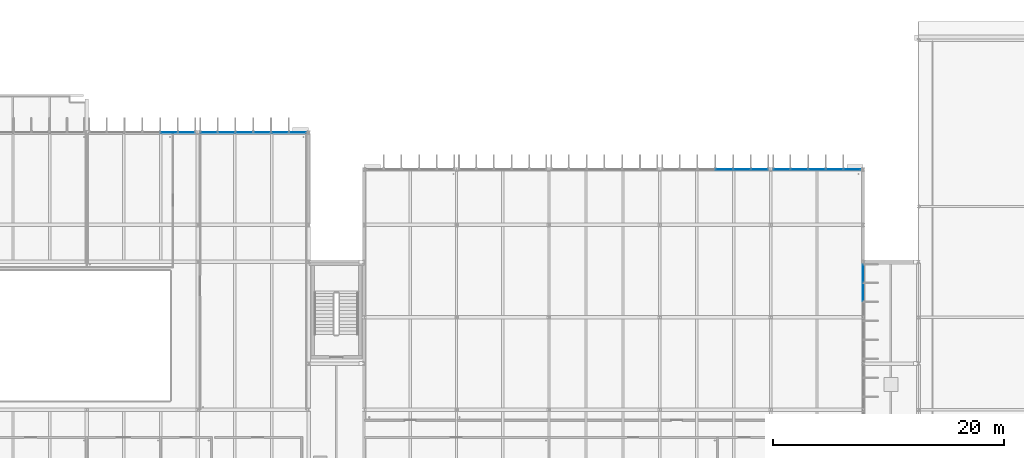
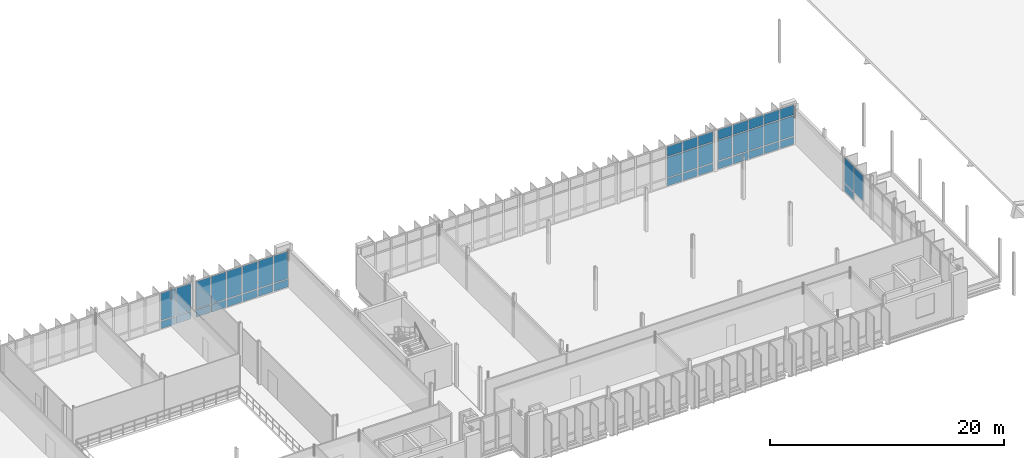
# One storey, part 44 of 93: 43 plates, 5 elements without a shape of their own.
"""IFC4 building model written with IfcOpenShell, lengths in metres."""

from ifc_helpers import new_model, si_unit, direction, frame, origin, origin_2d, place, context, subcontext, project, spatial, rectangle, extrude, material, layer, layer_set, type_object, element, aggregate, save


model = new_model("IFC4")

# Units and contexts
model_context = context("Model", 3, precision=1e-05, world=origin(), true_north=direction((0.0, 1.0)))
body_context = subcontext(model_context, "Body", "Model", "MODEL_VIEW")
ifc_project = project(units=[si_unit("LENGTHUNIT", "METRE"), si_unit("AREAUNIT", "SQUARE_METRE"), si_unit("VOLUMEUNIT", "CUBIC_METRE"), si_unit("PLANEANGLEUNIT", "RADIAN"), si_unit("MASSUNIT", "GRAM", prefix="KILO")], contexts=[model_context])

# Site, building, storey
site_placement = place(None, origin())
site = spatial("IfcSite", under=ifc_project, at=site_placement, CompositionType="ELEMENT")
building_placement = place(site_placement, origin())
building = spatial("IfcBuilding", under=site, at=building_placement, Name="Dunescarp Central Library", CompositionType="ELEMENT")
storey_placement = place(building_placement, frame((0.0, 0.0, 14.10009765625)))
storey = spatial("IfcBuildingStorey", under=building, at=storey_placement, Name="L03", CompositionType="ELEMENT", Elevation=14.10009765625)

# Curtain wall, plates
ifc_material_1 = material(Name="Marine-grade anodised aluminium 6063-T6", Category="aluminium")
curtain_wall_type = type_object("IfcCurtainWallType", Name="ARC-CW-STICK", PredefinedType="NOTDEFINED", material=ifc_material_1)
curtain_wall_1_placement = place(storey_placement, origin())
curtain_wall_1 = element("IfcCurtainWall", 1, at=curtain_wall_1_placement, inside=storey, type_object=curtain_wall_type, Name="L03 curtain wall CW-V2-065", PredefinedType="NOTDEFINED")
ifc_material_2 = material(Name="Solar-control laminated double glazing", Category="glass")
ifc_layer_1 = layer(ifc_material_2, 0.028076171875)
ifc_layer_set_1 = layer_set([ifc_layer_1], Name="Solar-control laminated double glazing")
plate_type_1 = type_object("IfcPlateType", Name="ARC-PLT-GLZ28", PredefinedType="CURTAIN_PANEL", material=ifc_layer_set_1)
plate_1_placement = place(storey_placement, frame((64.71240234375, 36.800048828125, 0.93994140625), z_axis=(0.0, 0.0, 1.0), x_axis=(1.0, 0.0, 0.0)))
plate_1 = element("IfcPlate", 2, at=plate_1_placement, type_object=plate_type_1, Name="CW-V2-065 panel 5.2", PredefinedType="CURTAIN_PANEL", context=body_context, shape_type="SweptSolid", body=[
    extrude(rectangle(XDim=1.461669921875, YDim=0.028076171875, at=origin_2d()), origin(), (0.0, 0.0, 1.0), 2.842041015625),
])
plate_2_placement = place(storey_placement, frame((66.234130859375, 36.800048828125, 0.93994140625), z_axis=(0.0, 0.0, 1.0), x_axis=(1.0, 0.0, 0.0)))
plate_2 = element("IfcPlate", 3, at=plate_2_placement, type_object=plate_type_1, Name="CW-V2-065 panel 6.2", PredefinedType="CURTAIN_PANEL", context=body_context, shape_type="SweptSolid", body=[
    extrude(rectangle(XDim=1.421630859375, YDim=0.028076171875, at=origin_2d()), origin(), (0.0, 0.0, 1.0), 2.842041015625),
])

curtain_wall_2_placement = place(storey_placement, origin())
curtain_wall_2 = element("IfcCurtainWall", 4, at=curtain_wall_2_placement, inside=storey, type_object=curtain_wall_type, Name="L03 curtain wall CW-V2-066", PredefinedType="NOTDEFINED")
plate_3_placement = place(storey_placement, frame((68.165771484375, 36.800048828125, 0.93994140625), z_axis=(0.0, 0.0, 1.0), x_axis=(1.0, 0.0, 0.0)))
plate_3 = element("IfcPlate", 5, at=plate_3_placement, type_object=plate_type_1, Name="CW-V2-066 panel 1.2", PredefinedType="CURTAIN_PANEL", context=body_context, shape_type="SweptSolid", body=[
    extrude(rectangle(XDim=1.421630859375, YDim=0.028076171875, at=origin_2d()), origin(), (0.0, 0.0, 1.0), 2.842041015625),
])
plate_4_placement = place(storey_placement, frame((69.6875, 36.800048828125, 0.93994140625), z_axis=(0.0, 0.0, 1.0), x_axis=(1.0, 0.0, 0.0)))
plate_4 = element("IfcPlate", 6, at=plate_4_placement, type_object=plate_type_1, Name="CW-V2-066 panel 2.2", PredefinedType="CURTAIN_PANEL", context=body_context, shape_type="SweptSolid", body=[
    extrude(rectangle(XDim=1.461669921875, YDim=0.028076171875, at=origin_2d()), origin(), (0.0, 0.0, 1.0), 2.842041015625),
])
plate_5_placement = place(storey_placement, frame((71.229248046875, 36.800048828125, 0.93994140625), z_axis=(0.0, 0.0, 1.0), x_axis=(1.0, 0.0, 0.0)))
plate_5 = element("IfcPlate", 7, at=plate_5_placement, type_object=plate_type_1, Name="CW-V2-066 panel 3.2", PredefinedType="CURTAIN_PANEL", context=body_context, shape_type="SweptSolid", body=[
    extrude(rectangle(XDim=1.461669921875, YDim=0.028076171875, at=origin_2d()), origin(), (0.0, 0.0, 1.0), 2.842041015625),
])
plate_6_placement = place(storey_placement, frame((72.770751953125, 36.800048828125, 0.93994140625), z_axis=(0.0, 0.0, 1.0), x_axis=(1.0, 0.0, 0.0)))
plate_6 = element("IfcPlate", 8, at=plate_6_placement, type_object=plate_type_1, Name="CW-V2-066 panel 4.2", PredefinedType="CURTAIN_PANEL", context=body_context, shape_type="SweptSolid", body=[
    extrude(rectangle(XDim=1.461669921875, YDim=0.028076171875, at=origin_2d()), origin(), (0.0, 0.0, 1.0), 2.842041015625),
])
plate_7_placement = place(storey_placement, frame((74.3125, 36.800048828125, 0.93994140625), z_axis=(0.0, 0.0, 1.0), x_axis=(1.0, 0.0, 0.0)))
plate_7 = element("IfcPlate", 9, at=plate_7_placement, type_object=plate_type_1, Name="CW-V2-066 panel 5.2", PredefinedType="CURTAIN_PANEL", context=body_context, shape_type="SweptSolid", body=[
    extrude(rectangle(XDim=1.461669921875, YDim=0.028076171875, at=origin_2d()), origin(), (0.0, 0.0, 1.0), 2.842041015625),
])
plate_8_placement = place(storey_placement, frame((75.834228515625, 36.800048828125, 0.93994140625), z_axis=(0.0, 0.0, 1.0), x_axis=(1.0, 0.0, 0.0)))
plate_8 = element("IfcPlate", 10, at=plate_8_placement, type_object=plate_type_1, Name="CW-V2-066 panel 6.2", PredefinedType="CURTAIN_PANEL", context=body_context, shape_type="SweptSolid", body=[
    extrude(rectangle(XDim=1.421630859375, YDim=0.028076171875, at=origin_2d()), origin(), (0.0, 0.0, 1.0), 2.842041015625),
])

curtain_wall_3_placement = place(storey_placement, origin())
curtain_wall_3 = element("IfcCurtainWall", 11, at=curtain_wall_3_placement, inside=storey, type_object=curtain_wall_type, Name="L03 curtain wall CW-V3-105", PredefinedType="NOTDEFINED")
plate_9_placement = place(storey_placement, frame((112.770751953125, 33.60009765625, 0.93994140625), z_axis=(0.0, 0.0, 1.0), x_axis=(1.0, 0.0, 0.0)))
plate_9 = element("IfcPlate", 12, at=plate_9_placement, type_object=plate_type_1, Name="CW-V3-105 panel 4.2", PredefinedType="CURTAIN_PANEL", context=body_context, shape_type="SweptSolid", body=[
    extrude(rectangle(XDim=1.461669921875, YDim=0.028076171875, at=origin_2d()), origin(), (0.0, 0.0, 1.0), 2.1201171875),
])
plate_10_placement = place(storey_placement, frame((112.770751953125, 33.60009765625, 3.1396484375), z_axis=(0.0, 0.0, 1.0), x_axis=(1.0, 0.0, 0.0)))
plate_10 = element("IfcPlate", 13, at=plate_10_placement, type_object=plate_type_1, Name="CW-V3-105 panel 4.3", PredefinedType="CURTAIN_PANEL", context=body_context, shape_type="SweptSolid", body=[
    extrude(rectangle(XDim=1.461669921875, YDim=0.028076171875, at=origin_2d()), origin(), (0.0, 0.0, 1.0), 1.030029296875),
])
plate_11_placement = place(storey_placement, frame((114.3125, 33.60009765625, 0.93994140625), z_axis=(0.0, 0.0, 1.0), x_axis=(1.0, 0.0, 0.0)))
plate_11 = element("IfcPlate", 14, at=plate_11_placement, type_object=plate_type_1, Name="CW-V3-105 panel 5.2", PredefinedType="CURTAIN_PANEL", context=body_context, shape_type="SweptSolid", body=[
    extrude(rectangle(XDim=1.461669921875, YDim=0.028076171875, at=origin_2d()), origin(), (0.0, 0.0, 1.0), 2.1201171875),
])
plate_12_placement = place(storey_placement, frame((114.3125, 33.60009765625, 3.1396484375), z_axis=(0.0, 0.0, 1.0), x_axis=(1.0, 0.0, 0.0)))
plate_12 = element("IfcPlate", 15, at=plate_12_placement, type_object=plate_type_1, Name="CW-V3-105 panel 5.3", PredefinedType="CURTAIN_PANEL", context=body_context, shape_type="SweptSolid", body=[
    extrude(rectangle(XDim=1.461669921875, YDim=0.028076171875, at=origin_2d()), origin(), (0.0, 0.0, 1.0), 1.030029296875),
])
plate_13_placement = place(storey_placement, frame((115.834228515625, 33.60009765625, 0.93994140625), z_axis=(0.0, 0.0, 1.0), x_axis=(1.0, 0.0, 0.0)))
plate_13 = element("IfcPlate", 16, at=plate_13_placement, type_object=plate_type_1, Name="CW-V3-105 panel 6.2", PredefinedType="CURTAIN_PANEL", context=body_context, shape_type="SweptSolid", body=[
    extrude(rectangle(XDim=1.421630859375, YDim=0.028076171875, at=origin_2d()), origin(), (0.0, 0.0, 1.0), 2.1201171875),
])
plate_14_placement = place(storey_placement, frame((115.834228515625, 33.60009765625, 3.1396484375), z_axis=(0.0, 0.0, 1.0), x_axis=(1.0, 0.0, 0.0)))
plate_14 = element("IfcPlate", 17, at=plate_14_placement, type_object=plate_type_1, Name="CW-V3-105 panel 6.3", PredefinedType="CURTAIN_PANEL", context=body_context, shape_type="SweptSolid", body=[
    extrude(rectangle(XDim=1.421630859375, YDim=0.028076171875, at=origin_2d()), origin(), (0.0, 0.0, 1.0), 1.030029296875),
])

curtain_wall_4_placement = place(storey_placement, origin())
curtain_wall_4 = element("IfcCurtainWall", 18, at=curtain_wall_4_placement, inside=storey, type_object=curtain_wall_type, Name="L03 curtain wall CW-V3-106", PredefinedType="NOTDEFINED")
plate_15_placement = place(storey_placement, frame((117.760009765625, 33.60009765625, 0.93994140625), z_axis=(0.0, 0.0, 1.0), x_axis=(1.0, 0.0, 0.0)))
plate_15 = element("IfcPlate", 19, at=plate_15_placement, type_object=plate_type_1, Name="CW-V3-106 panel 1.2", PredefinedType="CURTAIN_PANEL", context=body_context, shape_type="SweptSolid", body=[
    extrude(rectangle(XDim=1.409912109375, YDim=0.028076171875, at=origin_2d()), origin(), (0.0, 0.0, 1.0), 2.1201171875),
])
plate_16_placement = place(storey_placement, frame((117.760009765625, 33.60009765625, 3.1396484375), z_axis=(0.0, 0.0, 1.0), x_axis=(1.0, 0.0, 0.0)))
plate_16 = element("IfcPlate", 20, at=plate_16_placement, type_object=plate_type_1, Name="CW-V3-106 panel 1.3", PredefinedType="CURTAIN_PANEL", context=body_context, shape_type="SweptSolid", body=[
    extrude(rectangle(XDim=1.409912109375, YDim=0.028076171875, at=origin_2d()), origin(), (0.0, 0.0, 1.0), 1.030029296875),
])
plate_17_placement = place(storey_placement, frame((119.27001953125, 33.60009765625, 0.93994140625), z_axis=(0.0, 0.0, 1.0), x_axis=(1.0, 0.0, 0.0)))
plate_17 = element("IfcPlate", 21, at=plate_17_placement, type_object=plate_type_1, Name="CW-V3-106 panel 2.2", PredefinedType="CURTAIN_PANEL", context=body_context, shape_type="SweptSolid", body=[
    extrude(rectangle(XDim=1.449951171875, YDim=0.028076171875, at=origin_2d()), origin(), (0.0, 0.0, 1.0), 2.1201171875),
])
plate_18_placement = place(storey_placement, frame((119.27001953125, 33.60009765625, 3.1396484375), z_axis=(0.0, 0.0, 1.0), x_axis=(1.0, 0.0, 0.0)))
plate_18 = element("IfcPlate", 22, at=plate_18_placement, type_object=plate_type_1, Name="CW-V3-106 panel 2.3", PredefinedType="CURTAIN_PANEL", context=body_context, shape_type="SweptSolid", body=[
    extrude(rectangle(XDim=1.449951171875, YDim=0.028076171875, at=origin_2d()), origin(), (0.0, 0.0, 1.0), 1.030029296875),
])
plate_19_placement = place(storey_placement, frame((120.800048828125, 33.60009765625, 0.93994140625), z_axis=(0.0, 0.0, 1.0), x_axis=(1.0, 0.0, 0.0)))
plate_19 = element("IfcPlate", 23, at=plate_19_placement, type_object=plate_type_1, Name="CW-V3-106 panel 3.2", PredefinedType="CURTAIN_PANEL", context=body_context, shape_type="SweptSolid", body=[
    extrude(rectangle(XDim=1.449951171875, YDim=0.028076171875, at=origin_2d()), origin(), (0.0, 0.0, 1.0), 2.1201171875),
])
plate_20_placement = place(storey_placement, frame((120.800048828125, 33.60009765625, 3.1396484375), z_axis=(0.0, 0.0, 1.0), x_axis=(1.0, 0.0, 0.0)))
plate_20 = element("IfcPlate", 24, at=plate_20_placement, type_object=plate_type_1, Name="CW-V3-106 panel 3.3", PredefinedType="CURTAIN_PANEL", context=body_context, shape_type="SweptSolid", body=[
    extrude(rectangle(XDim=1.449951171875, YDim=0.028076171875, at=origin_2d()), origin(), (0.0, 0.0, 1.0), 1.030029296875),
])
plate_21_placement = place(storey_placement, frame((122.330078125, 33.60009765625, 0.93994140625), z_axis=(0.0, 0.0, 1.0), x_axis=(1.0, 0.0, 0.0)))
plate_21 = element("IfcPlate", 25, at=plate_21_placement, type_object=plate_type_1, Name="CW-V3-106 panel 4.2", PredefinedType="CURTAIN_PANEL", context=body_context, shape_type="SweptSolid", body=[
    extrude(rectangle(XDim=1.449951171875, YDim=0.028076171875, at=origin_2d()), origin(), (0.0, 0.0, 1.0), 2.1201171875),
])
plate_22_placement = place(storey_placement, frame((122.330078125, 33.60009765625, 3.1396484375), z_axis=(0.0, 0.0, 1.0), x_axis=(1.0, 0.0, 0.0)))
plate_22 = element("IfcPlate", 26, at=plate_22_placement, type_object=plate_type_1, Name="CW-V3-106 panel 4.3", PredefinedType="CURTAIN_PANEL", context=body_context, shape_type="SweptSolid", body=[
    extrude(rectangle(XDim=1.449951171875, YDim=0.028076171875, at=origin_2d()), origin(), (0.0, 0.0, 1.0), 1.030029296875),
])
plate_23_placement = place(storey_placement, frame((123.840087890625, 33.60009765625, 0.93994140625), z_axis=(0.0, 0.0, 1.0), x_axis=(1.0, 0.0, 0.0)))
plate_23 = element("IfcPlate", 27, at=plate_23_placement, type_object=plate_type_1, Name="CW-V3-106 panel 5.2", PredefinedType="CURTAIN_PANEL", context=body_context, shape_type="SweptSolid", body=[
    extrude(rectangle(XDim=1.409912109375, YDim=0.028076171875, at=origin_2d()), origin(), (0.0, 0.0, 1.0), 2.1201171875),
])
plate_24_placement = place(storey_placement, frame((123.840087890625, 33.60009765625, 3.1396484375), z_axis=(0.0, 0.0, 1.0), x_axis=(1.0, 0.0, 0.0)))
plate_24 = element("IfcPlate", 28, at=plate_24_placement, type_object=plate_type_1, Name="CW-V3-106 panel 5.3", PredefinedType="CURTAIN_PANEL", context=body_context, shape_type="SweptSolid", body=[
    extrude(rectangle(XDim=1.409912109375, YDim=0.028076171875, at=origin_2d()), origin(), (0.0, 0.0, 1.0), 1.030029296875),
])

curtain_wall_5_placement = place(storey_placement, origin())
curtain_wall_5 = element("IfcCurtainWall", 29, at=curtain_wall_5_placement, inside=storey, type_object=curtain_wall_type, Name="L03 curtain wall CW-V3-107", PredefinedType="NOTDEFINED")
plate_25_placement = place(storey_placement, frame((124.800048828125, 24.58447265625, 0.93994140625), z_axis=(0.0, 0.0, 1.0), x_axis=(0.0, -1.0, 0.0)))
plate_25 = element("IfcPlate", 30, at=plate_25_placement, type_object=plate_type_1, Name="CW-V3-107 panel 1.2", PredefinedType="CURTAIN_PANEL", context=body_context, shape_type="SweptSolid", body=[
    extrude(rectangle(XDim=1.52099609375, YDim=0.028076171875, at=origin_2d()), origin(), (0.0, 0.0, 1.0), 2.666015625),
])
plate_26_placement = place(storey_placement, frame((124.800048828125, 22.963623046875, 0.93994140625), z_axis=(0.0, 0.0, 1.0), x_axis=(0.0, -1.0, 0.0)))
plate_26 = element("IfcPlate", 31, at=plate_26_placement, type_object=plate_type_1, Name="CW-V3-107 panel 2.2", PredefinedType="CURTAIN_PANEL", context=body_context, shape_type="SweptSolid", body=[
    extrude(rectangle(XDim=1.560791015625, YDim=0.028076171875, at=origin_2d()), origin(), (0.0, 0.0, 1.0), 2.666015625),
])

# Plate
ifc_layer_2 = layer(ifc_material_1, 0.050048828125)
ifc_layer_set_2 = layer_set([ifc_layer_2], Name="Marine-grade anodised aluminium 6063-T6")
plate_type_2 = type_object("IfcPlateType", Name="ARC-PLT-SPN50", PredefinedType="SHEET", material=ifc_layer_set_2)
plate_27_placement = place(storey_placement, frame((64.71240234375, 36.800048828125, 0.080078125), z_axis=(0.0, 0.0, 1.0), x_axis=(1.0, 0.0, 0.0)))
plate_27 = element("IfcPlate", 32, at=plate_27_placement, type_object=plate_type_2, Name="CW-V2-065 panel 5.1", PredefinedType="SHEET", context=body_context, shape_type="SweptSolid", body=[
    extrude(rectangle(XDim=1.461669921875, YDim=0.050048828125, at=origin_2d()), origin(), (0.0, 0.0, 1.0), 0.780029296875),
])

plate_28_placement = place(storey_placement, frame((66.234130859375, 36.800048828125, 0.080078125), z_axis=(0.0, 0.0, 1.0), x_axis=(1.0, 0.0, 0.0)))
plate_28 = element("IfcPlate", 33, at=plate_28_placement, type_object=plate_type_2, Name="CW-V2-065 panel 6.1", PredefinedType="SHEET", context=body_context, shape_type="SweptSolid", body=[
    extrude(rectangle(XDim=1.421630859375, YDim=0.050048828125, at=origin_2d()), origin(), (0.0, 0.0, 1.0), 0.780029296875),
])

aggregate(curtain_wall_1, [plate_27, plate_1, plate_28, plate_2])

plate_29_placement = place(storey_placement, frame((68.165771484375, 36.800048828125, 0.080078125), z_axis=(0.0, 0.0, 1.0), x_axis=(1.0, 0.0, 0.0)))
plate_29 = element("IfcPlate", 34, at=plate_29_placement, type_object=plate_type_2, Name="CW-V2-066 panel 1.1", PredefinedType="SHEET", context=body_context, shape_type="SweptSolid", body=[
    extrude(rectangle(XDim=1.421630859375, YDim=0.050048828125, at=origin_2d()), origin(), (0.0, 0.0, 1.0), 0.780029296875),
])

plate_30_placement = place(storey_placement, frame((69.6875, 36.800048828125, 0.080078125), z_axis=(0.0, 0.0, 1.0), x_axis=(1.0, 0.0, 0.0)))
plate_30 = element("IfcPlate", 35, at=plate_30_placement, type_object=plate_type_2, Name="CW-V2-066 panel 2.1", PredefinedType="SHEET", context=body_context, shape_type="SweptSolid", body=[
    extrude(rectangle(XDim=1.461669921875, YDim=0.050048828125, at=origin_2d()), origin(), (0.0, 0.0, 1.0), 0.780029296875),
])

plate_31_placement = place(storey_placement, frame((71.229248046875, 36.800048828125, 0.080078125), z_axis=(0.0, 0.0, 1.0), x_axis=(1.0, 0.0, 0.0)))
plate_31 = element("IfcPlate", 36, at=plate_31_placement, type_object=plate_type_2, Name="CW-V2-066 panel 3.1", PredefinedType="SHEET", context=body_context, shape_type="SweptSolid", body=[
    extrude(rectangle(XDim=1.461669921875, YDim=0.050048828125, at=origin_2d()), origin(), (0.0, 0.0, 1.0), 0.780029296875),
])

plate_32_placement = place(storey_placement, frame((72.770751953125, 36.800048828125, 0.080078125), z_axis=(0.0, 0.0, 1.0), x_axis=(1.0, 0.0, 0.0)))
plate_32 = element("IfcPlate", 37, at=plate_32_placement, type_object=plate_type_2, Name="CW-V2-066 panel 4.1", PredefinedType="SHEET", context=body_context, shape_type="SweptSolid", body=[
    extrude(rectangle(XDim=1.461669921875, YDim=0.050048828125, at=origin_2d()), origin(), (0.0, 0.0, 1.0), 0.780029296875),
])

plate_33_placement = place(storey_placement, frame((74.3125, 36.800048828125, 0.080078125), z_axis=(0.0, 0.0, 1.0), x_axis=(1.0, 0.0, 0.0)))
plate_33 = element("IfcPlate", 38, at=plate_33_placement, type_object=plate_type_2, Name="CW-V2-066 panel 5.1", PredefinedType="SHEET", context=body_context, shape_type="SweptSolid", body=[
    extrude(rectangle(XDim=1.461669921875, YDim=0.050048828125, at=origin_2d()), origin(), (0.0, 0.0, 1.0), 0.780029296875),
])

plate_34_placement = place(storey_placement, frame((75.834228515625, 36.800048828125, 0.080078125), z_axis=(0.0, 0.0, 1.0), x_axis=(1.0, 0.0, 0.0)))
plate_34 = element("IfcPlate", 39, at=plate_34_placement, type_object=plate_type_2, Name="CW-V2-066 panel 6.1", PredefinedType="SHEET", context=body_context, shape_type="SweptSolid", body=[
    extrude(rectangle(XDim=1.421630859375, YDim=0.050048828125, at=origin_2d()), origin(), (0.0, 0.0, 1.0), 0.780029296875),
])

aggregate(curtain_wall_2, [plate_29, plate_3, plate_30, plate_4, plate_31, plate_5, plate_32, plate_6, plate_33, plate_7, plate_34, plate_8])

plate_35_placement = place(storey_placement, frame((112.770751953125, 33.60009765625, 0.080078125), z_axis=(0.0, 0.0, 1.0), x_axis=(1.0, 0.0, 0.0)))
plate_35 = element("IfcPlate", 40, at=plate_35_placement, type_object=plate_type_2, Name="CW-V3-105 panel 4.1", PredefinedType="SHEET", context=body_context, shape_type="SweptSolid", body=[
    extrude(rectangle(XDim=1.461669921875, YDim=0.050048828125, at=origin_2d()), origin(), (0.0, 0.0, 1.0), 0.780029296875),
])

plate_36_placement = place(storey_placement, frame((114.3125, 33.60009765625, 0.080078125), z_axis=(0.0, 0.0, 1.0), x_axis=(1.0, 0.0, 0.0)))
plate_36 = element("IfcPlate", 41, at=plate_36_placement, type_object=plate_type_2, Name="CW-V3-105 panel 5.1", PredefinedType="SHEET", context=body_context, shape_type="SweptSolid", body=[
    extrude(rectangle(XDim=1.461669921875, YDim=0.050048828125, at=origin_2d()), origin(), (0.0, 0.0, 1.0), 0.780029296875),
])

plate_37_placement = place(storey_placement, frame((115.834228515625, 33.60009765625, 0.080078125), z_axis=(0.0, 0.0, 1.0), x_axis=(1.0, 0.0, 0.0)))
plate_37 = element("IfcPlate", 42, at=plate_37_placement, type_object=plate_type_2, Name="CW-V3-105 panel 6.1", PredefinedType="SHEET", context=body_context, shape_type="SweptSolid", body=[
    extrude(rectangle(XDim=1.421630859375, YDim=0.050048828125, at=origin_2d()), origin(), (0.0, 0.0, 1.0), 0.780029296875),
])

aggregate(curtain_wall_3, [plate_35, plate_9, plate_10, plate_36, plate_11, plate_12, plate_37, plate_13, plate_14])

plate_38_placement = place(storey_placement, frame((117.760009765625, 33.60009765625, 0.080078125), z_axis=(0.0, 0.0, 1.0), x_axis=(1.0, 0.0, 0.0)))
plate_38 = element("IfcPlate", 43, at=plate_38_placement, type_object=plate_type_2, Name="CW-V3-106 panel 1.1", PredefinedType="SHEET", context=body_context, shape_type="SweptSolid", body=[
    extrude(rectangle(XDim=1.409912109375, YDim=0.050048828125, at=origin_2d()), origin(), (0.0, 0.0, 1.0), 0.780029296875),
])

plate_39_placement = place(storey_placement, frame((119.27001953125, 33.60009765625, 0.080078125), z_axis=(0.0, 0.0, 1.0), x_axis=(1.0, 0.0, 0.0)))
plate_39 = element("IfcPlate", 44, at=plate_39_placement, type_object=plate_type_2, Name="CW-V3-106 panel 2.1", PredefinedType="SHEET", context=body_context, shape_type="SweptSolid", body=[
    extrude(rectangle(XDim=1.449951171875, YDim=0.050048828125, at=origin_2d()), origin(), (0.0, 0.0, 1.0), 0.780029296875),
])

plate_40_placement = place(storey_placement, frame((120.800048828125, 33.60009765625, 0.080078125), z_axis=(0.0, 0.0, 1.0), x_axis=(1.0, 0.0, 0.0)))
plate_40 = element("IfcPlate", 45, at=plate_40_placement, type_object=plate_type_2, Name="CW-V3-106 panel 3.1", PredefinedType="SHEET", context=body_context, shape_type="SweptSolid", body=[
    extrude(rectangle(XDim=1.449951171875, YDim=0.050048828125, at=origin_2d()), origin(), (0.0, 0.0, 1.0), 0.780029296875),
])

plate_41_placement = place(storey_placement, frame((122.330078125, 33.60009765625, 0.080078125), z_axis=(0.0, 0.0, 1.0), x_axis=(1.0, 0.0, 0.0)))
plate_41 = element("IfcPlate", 46, at=plate_41_placement, type_object=plate_type_2, Name="CW-V3-106 panel 4.1", PredefinedType="SHEET", context=body_context, shape_type="SweptSolid", body=[
    extrude(rectangle(XDim=1.449951171875, YDim=0.050048828125, at=origin_2d()), origin(), (0.0, 0.0, 1.0), 0.780029296875),
])

plate_42_placement = place(storey_placement, frame((123.840087890625, 33.60009765625, 0.080078125), z_axis=(0.0, 0.0, 1.0), x_axis=(1.0, 0.0, 0.0)))
plate_42 = element("IfcPlate", 47, at=plate_42_placement, type_object=plate_type_2, Name="CW-V3-106 panel 5.1", PredefinedType="SHEET", context=body_context, shape_type="SweptSolid", body=[
    extrude(rectangle(XDim=1.409912109375, YDim=0.050048828125, at=origin_2d()), origin(), (0.0, 0.0, 1.0), 0.780029296875),
])

aggregate(curtain_wall_4, [plate_38, plate_15, plate_16, plate_39, plate_17, plate_18, plate_40, plate_19, plate_20, plate_41, plate_21, plate_22, plate_42, plate_23, plate_24])

plate_43_placement = place(storey_placement, frame((124.800048828125, 24.58447265625, 0.080078125), z_axis=(0.0, 0.0, 1.0), x_axis=(0.0, -1.0, 0.0)))
plate_43 = element("IfcPlate", 48, at=plate_43_placement, type_object=plate_type_2, Name="CW-V3-107 panel 1.1", PredefinedType="SHEET", context=body_context, shape_type="SweptSolid", body=[
    extrude(rectangle(XDim=1.52099609375, YDim=0.050048828125, at=origin_2d()), origin(), (0.0, 0.0, 1.0), 0.780029296875),
])

aggregate(curtain_wall_5, [plate_43, plate_25, plate_26])

save(model, "model.ifc")
